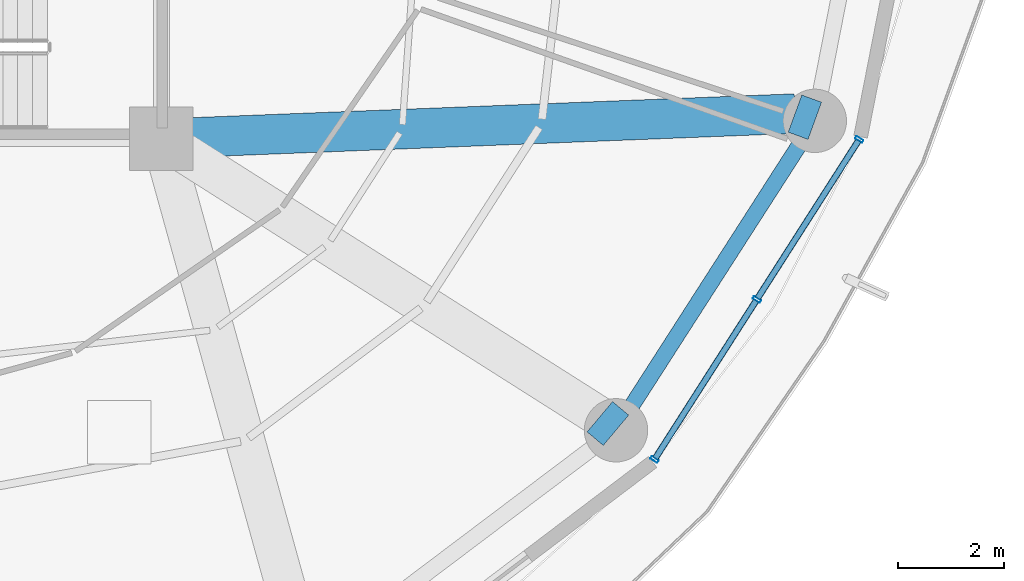
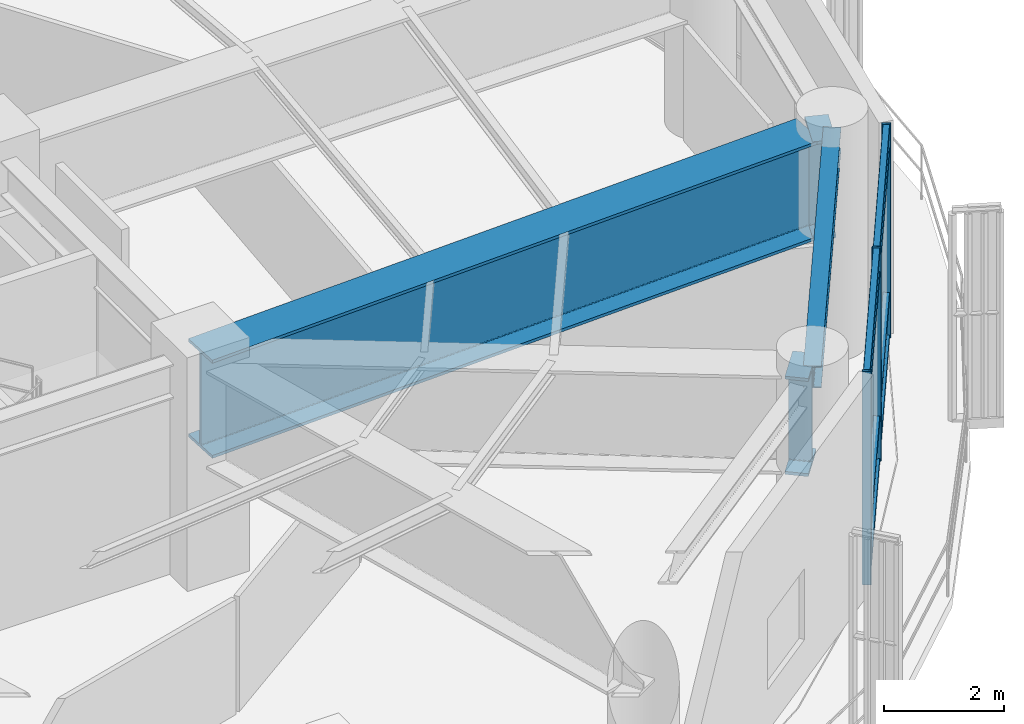
# One storey, part 11 of 28: 11 members, 4 beams, 1 element without a shape of its own.
"""IFC4 building model written with IfcOpenShell, lengths in metres."""

from ifc_helpers import new_model, si_unit, direction, frame, origin, origin_2d, place, context, subcontext, project, spatial, hollow_rectangle, i_section, extrude, material, layer, layer_set, material_profile, profile_set, type_object, element, aggregate, save


model = new_model("IFC4")

# Units and contexts
model_context = context("Model", 3, precision=1e-05, world=origin(), true_north=direction((0.0, 1.0)))
body_context = subcontext(model_context, "Body", "Model", "MODEL_VIEW")
ifc_project = project(units=[si_unit("LENGTHUNIT", "METRE"), si_unit("AREAUNIT", "SQUARE_METRE"), si_unit("VOLUMEUNIT", "CUBIC_METRE"), si_unit("PLANEANGLEUNIT", "RADIAN"), si_unit("MASSUNIT", "GRAM", prefix="KILO")], contexts=[model_context])

# Site, building, storey
site_placement = place(None, origin())
site = spatial("IfcSite", under=ifc_project, at=site_placement, CompositionType="ELEMENT")
building_placement = place(site_placement, origin())
building = spatial("IfcBuilding", under=site, at=building_placement, Name="Kelanora Arch Commons", CompositionType="ELEMENT")
storey_placement = place(building_placement, frame((0.0, 0.0, 184.35009765625)))
storey = spatial("IfcBuildingStorey", under=building, at=storey_placement, Name="L47", CompositionType="ELEMENT", Elevation=184.35009765625)

# Beams
ifc_material_1 = material(Name="Steel S355", Category="steel")
ifc_material_profile_1 = material_profile(ifc_material_1, i_section(OverallWidth=0.300048828125, OverallDepth=0.449951171875, WebThickness=0.013916015625, FlangeThickness=0.02587890625, FilletRadius=0.027099609375, at=origin_2d()), Name="HEB450")
ifc_profile_set_1 = profile_set([ifc_material_profile_1], Name="Steel S355")
beam_type_1 = type_object("IfcBeamType", Name="BM-SPN-Z3", PredefinedType="SPANDREL", material=ifc_profile_set_1)
beam_1_placement = place(storey_placement, frame((90.60791015625, 45.478515625, 4.135009765625), z_axis=(0.540576852469, 0.841294637196, 0.0), x_axis=(-0.841294637196, 0.540576852469, 0.0)))
element("IfcBeam", 1, at=beam_1_placement, inside=storey, type_object=beam_type_1, Name="Perimeter Spandrel Beam BS-32 L47", PredefinedType="SPANDREL", context=body_context, shape_type="SweptSolid", body=[
    extrude(i_section(OverallWidth=0.300048828125, OverallDepth=0.449951171875, WebThickness=0.013916015625, FlangeThickness=0.02587890625, FilletRadius=0.027099609375, at=origin_2d()), origin(), (0.0, 0.0, 1.0), 6.964111328125),
])
ifc_material_profile_2 = material_profile(ifc_material_1, i_section(OverallWidth=0.75, OverallDepth=2.0, WebThickness=0.034912109375, FlangeThickness=0.06005859375, FilletRadius=0.028076171875, at=origin_2d()), Name="PG2000x750")
ifc_profile_set_2 = profile_set([ifc_material_profile_2], Name="Steel S355")
beam_type_2 = type_object("IfcBeamType", Name="BM-XFER-SET", PredefinedType="USERDEFINED", material=ifc_profile_set_2)
beam_2_placement = place(storey_placement, frame((90.301513671875, 45.735595703125, 3.35986328125), z_axis=(0.766065493671, -0.642762521781, 0.0), x_axis=(0.642762521781, 0.766065493671, 0.0)))
element("IfcBeam", 2, at=beam_2_placement, inside=storey, type_object=beam_type_2, Name="Radial Floor Girder BR-32 L47", ObjectType="TRANSFER_GIRDER", PredefinedType="USERDEFINED", context=body_context, shape_type="SweptSolid", body=[
    extrude(i_section(OverallWidth=0.75, OverallDepth=2.0, WebThickness=0.034912109375, FlangeThickness=0.06005859375, FilletRadius=0.028076171875, at=origin_2d()), origin(), (0.0, 0.0, 1.0), 0.39990234375),
])
beam_3_placement = place(storey_placement, frame((82.0, 51.0, 3.35986328125), z_axis=(0.999219142585, 0.03951082246, 0.0), x_axis=(-0.03951082246, 0.999219142585, 0.0)))
element("IfcBeam", 3, at=beam_3_placement, inside=storey, type_object=beam_type_2, Name="Setback Radial Transfer Girder BRI-34 L47", ObjectType="TRANSFER_GIRDER", PredefinedType="USERDEFINED", context=body_context, shape_type="SweptSolid", body=[
    extrude(i_section(OverallWidth=0.75, OverallDepth=2.0, WebThickness=0.034912109375, FlangeThickness=0.06005859375, FilletRadius=0.028076171875, at=origin_2d()), origin(), (0.0, 0.0, 1.0), 12.005859375),
])
beam_4_placement = place(storey_placement, frame((93.99658203125, 51.474365234375, 3.35986328125), z_axis=(0.939597315436, -0.342281879195, 0.0), x_axis=(0.342281879195, 0.939597315436, 0.0)))
element("IfcBeam", 4, at=beam_4_placement, inside=storey, type_object=beam_type_2, Name="Radial Floor Girder BR-34 L47", ObjectType="TRANSFER_GIRDER", PredefinedType="USERDEFINED", context=body_context, shape_type="SweptSolid", body=[
    extrude(i_section(OverallWidth=0.75, OverallDepth=2.0, WebThickness=0.034912109375, FlangeThickness=0.06005859375, FilletRadius=0.028076171875, at=origin_2d()), origin(), (0.0, 0.0, 1.0), 0.400146484375),
])

# Curtain wall, members
ifc_material_2 = material(Name="Terracotta ceramic-fritted low-E glass and aluminium", Category="masonry")
ifc_layer = layer(ifc_material_2, 0.175048828125)
ifc_layer_set = layer_set([ifc_layer], Name="Terracotta ceramic-fritted low-E glass and aluminium")
curtain_wall_type = type_object("IfcCurtainWallType", Name="CW-SYS-02", PredefinedType="NOTDEFINED", material=ifc_layer_set)
curtain_wall_placement = place(storey_placement, origin())
curtain_wall = element("IfcCurtainWall", 5, at=curtain_wall_placement, inside=storey, type_object=curtain_wall_type, Name="Unitised Curtain Wall L47-B16", PredefinedType="NOTDEFINED")
ifc_material_3 = material(Name="Powder-coated aluminium terracotta", Category="masonry")
ifc_material_profile_3 = material_profile(ifc_material_3, hollow_rectangle(XDim=0.159912109375, YDim=0.06005859375, WallThickness=0.0048828125, InnerFilletRadius=0.0048828125, OuterFilletRadius=0.010009765625, at=origin_2d()), Name="CWM160x60")
ifc_profile_set_3 = profile_set([ifc_material_profile_3], Name="Powder-coated aluminium terracotta")
member_type_1 = type_object("IfcMemberType", Name="CWM-STD", PredefinedType="MULLION", material=ifc_profile_set_3)
member_1_placement = place(storey_placement, frame((91.3369140625, 44.925048828125, 0.0), z_axis=(0.0, 0.0, 1.0), x_axis=(-0.842422846546, 0.538816988983, 0.0)))
member_1 = element("IfcMember", 6, at=member_1_placement, type_object=member_type_1, Name="CW-02 mullion 1", PredefinedType="MULLION", context=body_context, shape_type="SweptSolid", body=[
    extrude(hollow_rectangle(XDim=0.159912109375, YDim=0.06005859375, WallThickness=0.0048828125, InnerFilletRadius=0.0048828125, OuterFilletRadius=0.010009765625, at=origin_2d()), origin(), (0.0, 0.0, 1.0), 4.344970703125),
])
member_2_placement = place(storey_placement, frame((93.27490234375, 47.954833984375, 0.0), z_axis=(0.0, 0.0, 1.0), x_axis=(-0.842422846546, 0.538816988983, 0.0)))
member_2 = element("IfcMember", 7, at=member_2_placement, type_object=member_type_1, Name="CW-02 mullion 2", PredefinedType="MULLION", context=body_context, shape_type="SweptSolid", body=[
    extrude(hollow_rectangle(XDim=0.159912109375, YDim=0.06005859375, WallThickness=0.0048828125, InnerFilletRadius=0.0048828125, OuterFilletRadius=0.010009765625, at=origin_2d()), origin(), (0.0, 0.0, 1.0), 4.344970703125),
])
member_3_placement = place(storey_placement, frame((95.212890625, 50.98486328125, 0.0), z_axis=(0.0, 0.0, 1.0), x_axis=(-0.842422846546, 0.538816988983, 0.0)))
member_3 = element("IfcMember", 8, at=member_3_placement, type_object=member_type_1, Name="CW-02 mullion 3", PredefinedType="MULLION", context=body_context, shape_type="SweptSolid", body=[
    extrude(hollow_rectangle(XDim=0.159912109375, YDim=0.06005859375, WallThickness=0.0048828125, InnerFilletRadius=0.0048828125, OuterFilletRadius=0.010009765625, at=origin_2d()), origin(), (0.0, 0.0, 1.0), 4.344970703125),
])
ifc_material_profile_4 = material_profile(ifc_material_3, hollow_rectangle(XDim=0.1201171875, YDim=0.06005859375, WallThickness=0.0048828125, InnerFilletRadius=0.0048828125, OuterFilletRadius=0.010009765625, at=origin_2d()), Name="CWT120x60")
ifc_profile_set_4 = profile_set([ifc_material_profile_4], Name="Powder-coated aluminium terracotta")
member_type_2 = type_object("IfcMemberType", Name="CWT-STD", PredefinedType="USERDEFINED", material=ifc_profile_set_4)
member_4_placement = place(storey_placement, frame((91.35302734375, 44.9501953125, 0.02978515625), z_axis=(0.53883037555, 0.842414284295, 0.0), x_axis=(-0.842414284295, 0.53883037555, 0.0)))
member_4 = element("IfcMember", 9, at=member_4_placement, type_object=member_type_2, Name="CW-02 transom 1.1", ObjectType="TRANSOM", PredefinedType="USERDEFINED", context=body_context, shape_type="SweptSolid", body=[
    extrude(hollow_rectangle(XDim=0.1201171875, YDim=0.06005859375, WallThickness=0.0048828125, InnerFilletRadius=0.0048828125, OuterFilletRadius=0.010009765625, at=origin_2d()), origin(), (0.0, 0.0, 1.0), 3.536865234375),
])
member_5_placement = place(storey_placement, frame((91.35302734375, 44.9501953125, 0.89990234375), z_axis=(0.53883037555, 0.842414284295, 0.0), x_axis=(-0.842414284295, 0.53883037555, 0.0)))
member_5 = element("IfcMember", 10, at=member_5_placement, type_object=member_type_2, Name="CW-02 transom 1.2", ObjectType="TRANSOM", PredefinedType="USERDEFINED", context=body_context, shape_type="SweptSolid", body=[
    extrude(hollow_rectangle(XDim=0.1201171875, YDim=0.06005859375, WallThickness=0.0048828125, InnerFilletRadius=0.0048828125, OuterFilletRadius=0.010009765625, at=origin_2d()), origin(), (0.0, 0.0, 1.0), 3.536865234375),
])
member_6_placement = place(storey_placement, frame((91.35302734375, 44.9501953125, 3.844970703125), z_axis=(0.53883037555, 0.842414284295, 0.0), x_axis=(-0.842414284295, 0.53883037555, 0.0)))
member_6 = element("IfcMember", 11, at=member_6_placement, type_object=member_type_2, Name="CW-02 transom 1.3", ObjectType="TRANSOM", PredefinedType="USERDEFINED", context=body_context, shape_type="SweptSolid", body=[
    extrude(hollow_rectangle(XDim=0.1201171875, YDim=0.06005859375, WallThickness=0.0048828125, InnerFilletRadius=0.0048828125, OuterFilletRadius=0.010009765625, at=origin_2d()), origin(), (0.0, 0.0, 1.0), 3.536865234375),
])
member_7_placement = place(storey_placement, frame((91.35302734375, 44.9501953125, 4.31494140625), z_axis=(0.53883037555, 0.842414284295, 0.0), x_axis=(-0.842414284295, 0.53883037555, 0.0)))
member_7 = element("IfcMember", 12, at=member_7_placement, type_object=member_type_2, Name="CW-02 transom 1.4", ObjectType="TRANSOM", PredefinedType="USERDEFINED", context=body_context, shape_type="SweptSolid", body=[
    extrude(hollow_rectangle(XDim=0.1201171875, YDim=0.06005859375, WallThickness=0.0048828125, InnerFilletRadius=0.0048828125, OuterFilletRadius=0.010009765625, at=origin_2d()), origin(), (0.0, 0.0, 1.0), 3.536865234375),
])
member_8_placement = place(storey_placement, frame((93.291015625, 47.980224609375, 0.02978515625), z_axis=(0.53883037555, 0.842414284295, 0.0), x_axis=(-0.842414284295, 0.53883037555, 0.0)))
member_8 = element("IfcMember", 13, at=member_8_placement, type_object=member_type_2, Name="CW-02 transom 2.1", ObjectType="TRANSOM", PredefinedType="USERDEFINED", context=body_context, shape_type="SweptSolid", body=[
    extrude(hollow_rectangle(XDim=0.1201171875, YDim=0.06005859375, WallThickness=0.0048828125, InnerFilletRadius=0.0048828125, OuterFilletRadius=0.010009765625, at=origin_2d()), origin(), (0.0, 0.0, 1.0), 3.536865234375),
])
member_9_placement = place(storey_placement, frame((93.291015625, 47.980224609375, 0.89990234375), z_axis=(0.53883037555, 0.842414284295, 0.0), x_axis=(-0.842414284295, 0.53883037555, 0.0)))
member_9 = element("IfcMember", 14, at=member_9_placement, type_object=member_type_2, Name="CW-02 transom 2.2", ObjectType="TRANSOM", PredefinedType="USERDEFINED", context=body_context, shape_type="SweptSolid", body=[
    extrude(hollow_rectangle(XDim=0.1201171875, YDim=0.06005859375, WallThickness=0.0048828125, InnerFilletRadius=0.0048828125, OuterFilletRadius=0.010009765625, at=origin_2d()), origin(), (0.0, 0.0, 1.0), 3.536865234375),
])
member_10_placement = place(storey_placement, frame((93.291015625, 47.980224609375, 3.844970703125), z_axis=(0.53883037555, 0.842414284295, 0.0), x_axis=(-0.842414284295, 0.53883037555, 0.0)))
member_10 = element("IfcMember", 15, at=member_10_placement, type_object=member_type_2, Name="CW-02 transom 2.3", ObjectType="TRANSOM", PredefinedType="USERDEFINED", context=body_context, shape_type="SweptSolid", body=[
    extrude(hollow_rectangle(XDim=0.1201171875, YDim=0.06005859375, WallThickness=0.0048828125, InnerFilletRadius=0.0048828125, OuterFilletRadius=0.010009765625, at=origin_2d()), origin(), (0.0, 0.0, 1.0), 3.536865234375),
])
member_11_placement = place(storey_placement, frame((93.291015625, 47.980224609375, 4.31494140625), z_axis=(0.53883037555, 0.842414284295, 0.0), x_axis=(-0.842414284295, 0.53883037555, 0.0)))
member_11 = element("IfcMember", 16, at=member_11_placement, type_object=member_type_2, Name="CW-02 transom 2.4", ObjectType="TRANSOM", PredefinedType="USERDEFINED", context=body_context, shape_type="SweptSolid", body=[
    extrude(hollow_rectangle(XDim=0.1201171875, YDim=0.06005859375, WallThickness=0.0048828125, InnerFilletRadius=0.0048828125, OuterFilletRadius=0.010009765625, at=origin_2d()), origin(), (0.0, 0.0, 1.0), 3.536865234375),
])
aggregate(curtain_wall, [member_1, member_2, member_3, member_4, member_5, member_6, member_7, member_8, member_9, member_10, member_11])

save(model, "model.ifc")
